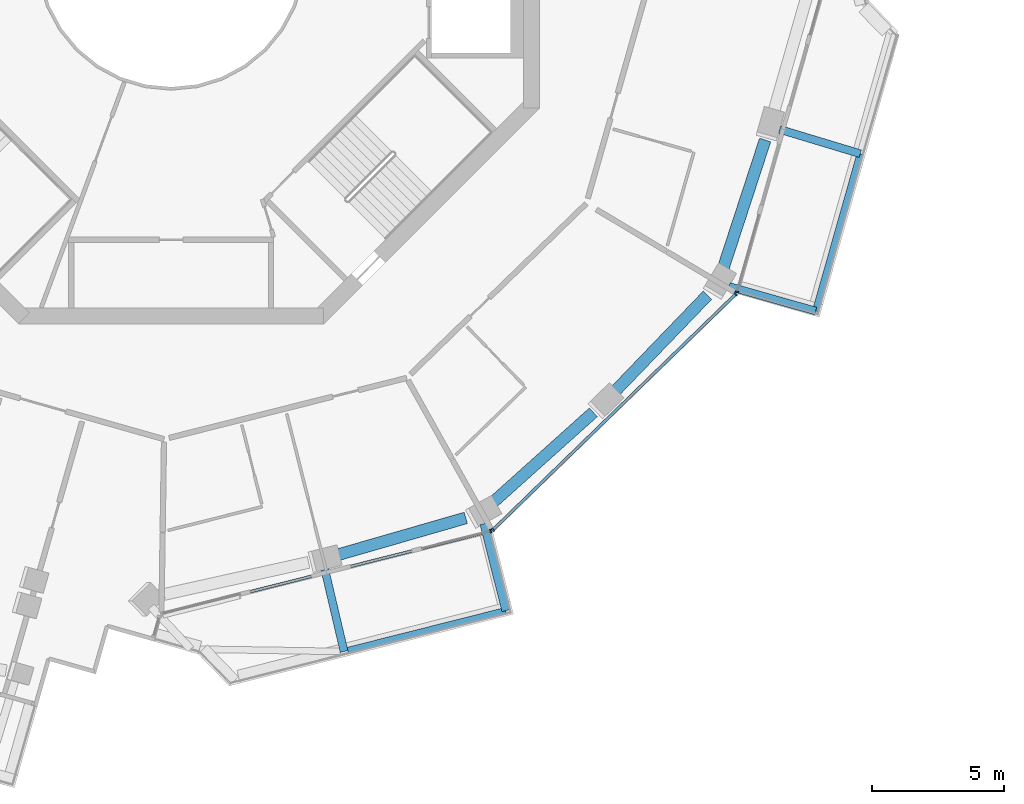
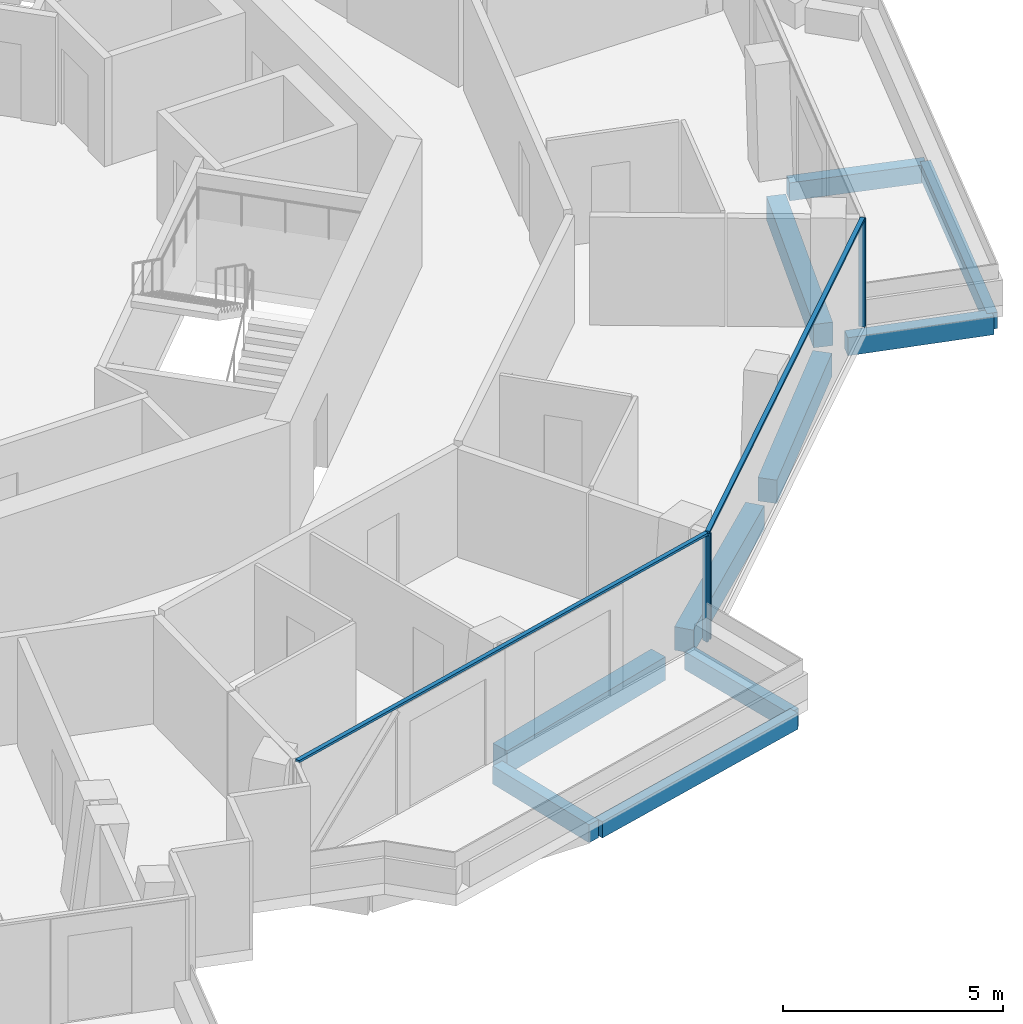
# One storey, part 5 of 24: 10 beams, 6 members, 3 elements without a shape of their own.
"""IFC4 building model written with IfcOpenShell, lengths in metres."""

from ifc_helpers import new_model, si_unit, direction, frame, origin, origin_2d, place, context, subcontext, project, spatial, rectangle, extrude, material, layer, layer_set, material_profile, profile_set, type_object, element, aggregate, save


model = new_model("IFC4")

# Units and contexts
model_context = context("Model", 3, precision=1e-05, world=origin(), true_north=direction((0.0, 1.0)))
body_context = subcontext(model_context, "Body", "Model", "MODEL_VIEW")
ifc_project = project(units=[si_unit("LENGTHUNIT", "METRE"), si_unit("AREAUNIT", "SQUARE_METRE"), si_unit("VOLUMEUNIT", "CUBIC_METRE"), si_unit("PLANEANGLEUNIT", "RADIAN"), si_unit("MASSUNIT", "GRAM", prefix="KILO")], contexts=[model_context])

# Site, building, storey
site_placement = place(None, origin())
site = spatial("IfcSite", under=ifc_project, at=site_placement, CompositionType="ELEMENT")
building_placement = place(site_placement, origin())
building = spatial("IfcBuilding", under=site, at=building_placement, Name="Verdalira Terraces Hotel", CompositionType="ELEMENT")
storey_placement = place(building_placement, frame((0.0, 0.0, 212.5)))
storey = spatial("IfcBuildingStorey", under=building, at=storey_placement, Name="L52", CompositionType="ELEMENT", Elevation=212.5)

# Beams
ifc_material_1 = material(Name="Concrete C40", Category="concrete")
ifc_material_profile_1 = material_profile(ifc_material_1, rectangle(XDim=0.300049, YDim=0.5, at=origin_2d()), Name="RC 300X500")
ifc_profile_set_1 = profile_set([ifc_material_profile_1], Name="Concrete C40")
beam_type_1 = type_object("IfcBeamType", Name="Balcony cantilever beam RC 300X500 C40", PredefinedType="BEAM", material=ifc_profile_set_1)
beam_1_placement = place(storey_placement, frame((5.844727, -23.337158, -0.560059), z_axis=(0.228350601, -0.973578966, 0.0), x_axis=(0.973578966, 0.228350601, 0.0)))
element("IfcBeam", 1, at=beam_1_placement, inside=storey, type_object=beam_type_1, Name="Balcony cantilever beam R24-2", PredefinedType="BEAM", context=body_context, shape_type="SweptSolid", body=[
    extrude(rectangle(XDim=0.300049, YDim=0.5, at=origin_2d()), origin(), (0.0, 0.0, 1.0), 3.200928),
])
beam_2_placement = place(storey_placement, frame((11.887451, -21.5979, -0.560059), z_axis=(0.244591069, -0.969626324, 0.0), x_axis=(0.969626324, 0.244591069, 0.0)))
element("IfcBeam", 2, at=beam_2_placement, inside=storey, type_object=beam_type_1, Name="Balcony cantilever beam R24-3", PredefinedType="BEAM", context=body_context, shape_type="SweptSolid", body=[
    extrude(rectangle(XDim=0.300049, YDim=0.5, at=origin_2d()), origin(), (0.0, 0.0, 1.0), 3.408691),
])
beam_3_placement = place(storey_placement, frame((21.206787, -12.578369, -0.560059), z_axis=(0.962036269, -0.272921631, 0.0), x_axis=(0.272921631, 0.962036269, 0.0)))
element("IfcBeam", 3, at=beam_3_placement, inside=storey, type_object=beam_type_1, Name="Balcony cantilever beam R27-1", PredefinedType="BEAM", context=body_context, shape_type="SweptSolid", body=[
    extrude(rectangle(XDim=0.300049, YDim=0.5, at=origin_2d()), origin(), (0.0, 0.0, 1.0), 3.42334),
])
beam_4_placement = place(storey_placement, frame((23.133057, -6.606934, -0.560059), z_axis=(0.957327313, -0.289005911, 0.0), x_axis=(0.289005911, 0.957327313, 0.0)))
element("IfcBeam", 4, at=beam_4_placement, inside=storey, type_object=beam_type_1, Name="Balcony cantilever beam R27-2", PredefinedType="BEAM", context=body_context, shape_type="SweptSolid", body=[
    extrude(rectangle(XDim=0.300049, YDim=0.5, at=origin_2d()), origin(), (0.0, 0.0, 1.0), 3.200684),
])
ifc_material_2 = material(Name="Concrete C40", Category="concrete")
ifc_material_profile_2 = material_profile(ifc_material_2, rectangle(XDim=0.25, YDim=0.449951, at=origin_2d()), Name="RC 250X450")
ifc_profile_set_2 = profile_set([ifc_material_profile_2], Name="Concrete C40")
beam_type_2 = type_object("IfcBeamType", Name="Balcony edge beam RC 250X450 C40", PredefinedType="BEAM", material=ifc_profile_set_2)
beam_5_placement = place(storey_placement, frame((6.721191, -26.416748, -0.534912), z_axis=(0.969620408, 0.244614523, 0.0), x_axis=(-0.244614523, 0.969620408, 0.0)))
element("IfcBeam", 5, at=beam_5_placement, inside=storey, type_object=beam_type_2, Name="Balcony edge beam R24-2", PredefinedType="BEAM", context=body_context, shape_type="SweptSolid", body=[
    extrude(rectangle(XDim=0.25, YDim=0.449951, at=origin_2d()), origin(), (0.0, 0.0, 1.0), 6.187988),
])
beam_6_placement = place(storey_placement, frame((24.500244, -13.512695, -0.534912), z_axis=(0.272972744, 0.962021767, 0.0), x_axis=(-0.962021767, 0.272972744, 0.0)))
element("IfcBeam", 6, at=beam_6_placement, inside=storey, type_object=beam_type_2, Name="Balcony edge beam R27-1", PredefinedType="BEAM", context=body_context, shape_type="SweptSolid", body=[
    extrude(rectangle(XDim=0.25, YDim=0.449951, at=origin_2d()), origin(), (0.0, 0.0, 1.0), 6.216797),
])

# Curtain wall, member
ifc_material_3 = material(Name="Clear glass", Category="glass")
ifc_layer = layer(ifc_material_3, 0.14990234375)
ifc_layer_set = layer_set([ifc_layer], Name="CW1 curtain wall")
curtain_wall_type = type_object("IfcCurtainWallType", Name="CW1 curtain wall", PredefinedType="NOTDEFINED", material=ifc_layer_set)
curtain_wall_1_placement = place(storey_placement, origin())
curtain_wall_1 = element("IfcCurtainWall", 7, at=curtain_wall_1_placement, inside=storey, type_object=curtain_wall_type, Name="CW1 curtain wall L52 edge 25", PredefinedType="NOTDEFINED")
ifc_material_4 = material(Name="Terracotta frame", Category="masonry")
ifc_material_profile_3 = material_profile(ifc_material_4, rectangle(XDim=0.060059, YDim=0.149902, at=origin_2d()), Name="MU 60x150")
ifc_profile_set_3 = profile_set([ifc_material_profile_3], Name="Terracotta frame")
member_type_1 = type_object("IfcMemberType", Name="CW1 mullion 60x150", PredefinedType="MULLION", material=ifc_profile_set_3)
member_1_placement = place(storey_placement, frame((12.150391, -21.875732, 0.0), z_axis=(0.0, 0.0, 1.0), x_axis=(0.96961637, 0.244630526, 0.0)))
member_1 = element("IfcMember", 8, at=member_1_placement, type_object=member_type_1, Name="CW1 mullion", PredefinedType="MULLION", context=body_context, shape_type="SweptSolid", body=[
    extrude(rectangle(XDim=0.060059, YDim=0.149902, at=origin_2d()), origin(), (0.0, 0.0, 1.0), 2.935059),
])

# Curtain wall, members
curtain_wall_2_placement = place(storey_placement, origin())
curtain_wall_2 = element("IfcCurtainWall", 9, at=curtain_wall_2_placement, inside=storey, type_object=curtain_wall_type, Name="CW1 curtain wall L52 edge 26", PredefinedType="NOTDEFINED")
member_2_placement = place(storey_placement, frame((12.234863, -21.828369, 0.0), z_axis=(0.0, 0.0, 1.0), x_axis=(0.717397146, 0.696664435, 0.0)))
member_2 = element("IfcMember", 10, at=member_2_placement, type_object=member_type_1, Name="CW1 mullion", PredefinedType="MULLION", context=body_context, shape_type="SweptSolid", body=[
    extrude(rectangle(XDim=0.060059, YDim=0.149902, at=origin_2d()), origin(), (0.0, 0.0, 1.0), 2.935059),
])
member_3_placement = place(storey_placement, frame((21.460449, -12.869629, 0.0), z_axis=(0.0, 0.0, 1.0), x_axis=(0.717397146, 0.696664435, 0.0)))
member_3 = element("IfcMember", 11, at=member_3_placement, type_object=member_type_1, Name="CW1 mullion", PredefinedType="MULLION", context=body_context, shape_type="SweptSolid", body=[
    extrude(rectangle(XDim=0.060059, YDim=0.149902, at=origin_2d()), origin(), (0.0, 0.0, 1.0), 2.935059),
])

# Curtain wall, member
curtain_wall_3_placement = place(storey_placement, origin())
curtain_wall_3 = element("IfcCurtainWall", 12, at=curtain_wall_3_placement, inside=storey, type_object=curtain_wall_type, Name="CW1 curtain wall L52 edge 27", PredefinedType="NOTDEFINED")
member_4_placement = place(storey_placement, frame((21.51001, -12.786621, 0.0), z_axis=(0.0, 0.0, 1.0), x_axis=(0.272951936, 0.962027672, 0.0)))
member_4 = element("IfcMember", 13, at=member_4_placement, type_object=member_type_1, Name="CW1 mullion", PredefinedType="MULLION", context=body_context, shape_type="SweptSolid", body=[
    extrude(rectangle(XDim=0.060059, YDim=0.149902, at=origin_2d()), origin(), (0.0, 0.0, 1.0), 2.935059),
])
aggregate(curtain_wall_3, [member_4])

# Member
ifc_material_5 = material(Name="Terracotta frame", Category="masonry")
ifc_material_profile_4 = material_profile(ifc_material_5, rectangle(XDim=0.110107, YDim=0.064941, at=origin_2d()), Name="TR 65x110")
ifc_profile_set_4 = profile_set([ifc_material_profile_4], Name="Terracotta frame")
member_type_2 = type_object("IfcMemberType", Name="CW1 transom 65x110", PredefinedType="USERDEFINED", material=ifc_profile_set_4)
member_5_placement = place(storey_placement, frame((-0.386475, -25.038574, 2.967529), z_axis=(0.969619433, 0.244618386, 0.0), x_axis=(-0.244618386, 0.969619433, 0.0)))
member_5 = element("IfcMember", 14, at=member_5_placement, type_object=member_type_2, Name="CW1 transom", ObjectType="TRANSOM", PredefinedType="USERDEFINED", context=body_context, shape_type="SweptSolid", body=[
    extrude(rectangle(XDim=0.110107, YDim=0.064941, at=origin_2d()), origin(), (0.0, 0.0, 1.0), 12.959717),
])

aggregate(curtain_wall_1, [member_1, member_5])

member_6_placement = place(storey_placement, frame((12.213379, -21.849365, 2.967529), z_axis=(0.717395672, 0.696665953, 0.0), x_axis=(-0.696665953, 0.717395672, 0.0)))
member_6 = element("IfcMember", 15, at=member_6_placement, type_object=member_type_2, Name="CW1 transom", ObjectType="TRANSOM", PredefinedType="USERDEFINED", context=body_context, shape_type="SweptSolid", body=[
    extrude(rectangle(XDim=0.110107, YDim=0.064941, at=origin_2d()), origin(), (0.0, 0.0, 1.0), 12.919678),
])

aggregate(curtain_wall_2, [member_2, member_3, member_6])

# Beams
ifc_material_6 = material(Name="Concrete C50", Category="concrete")
ifc_material_profile_5 = material_profile(ifc_material_6, rectangle(XDim=0.449951, YDim=0.649902, at=origin_2d()), Name="RC 450X650")
ifc_profile_set_5 = profile_set([ifc_material_profile_5], Name="Concrete C50")
beam_type_3 = type_object("IfcBeamType", Name="Spandrel beam RC 450X650 C50", PredefinedType="SPANDREL", material=ifc_profile_set_5)
beam_7_placement = place(storey_placement, frame((6.216797, -22.8125, -0.63501), z_axis=(0.96086791, 0.277006965, 0.0), x_axis=(-0.277006965, 0.96086791, 0.0)))
element("IfcBeam", 16, at=beam_7_placement, inside=storey, type_object=beam_type_3, Name="Spandrel beam B12", PredefinedType="SPANDREL", context=body_context, shape_type="SweptSolid", body=[
    extrude(rectangle(XDim=0.449951, YDim=0.649902, at=origin_2d()), origin(), (0.0, 0.0, 1.0), 5.189453),
])
beam_8_placement = place(storey_placement, frame((12.185547, -20.828613, -0.63501), z_axis=(0.744478368, 0.667646583, 0.0), x_axis=(-0.667646583, 0.744478368, 0.0)))
element("IfcBeam", 17, at=beam_8_placement, inside=storey, type_object=beam_type_3, Name="Spandrel beam B13", PredefinedType="SPANDREL", context=body_context, shape_type="SweptSolid", body=[
    extrude(rectangle(XDim=0.449951, YDim=0.649902, at=origin_2d()), origin(), (0.0, 0.0, 1.0), 5.192139),
])
beam_9_placement = place(storey_placement, frame((16.790283, -16.647949, -0.63501), z_axis=(0.693595577, 0.720364612, 0.0), x_axis=(-0.720364612, 0.693595577, 0.0)))
element("IfcBeam", 18, at=beam_9_placement, inside=storey, type_object=beam_type_3, Name="Spandrel beam B14", PredefinedType="SPANDREL", context=body_context, shape_type="SweptSolid", body=[
    extrude(rectangle(XDim=0.449951, YDim=0.649902, at=origin_2d()), origin(), (0.0, 0.0, 1.0), 5.189453),
])
beam_10_placement = place(storey_placement, frame((20.967285, -11.945312, -0.63501), z_axis=(0.310904691, 0.950441094, 0.0), x_axis=(-0.950441094, 0.310904691, 0.0)))
element("IfcBeam", 19, at=beam_10_placement, inside=storey, type_object=beam_type_3, Name="Spandrel beam B15", PredefinedType="SPANDREL", context=body_context, shape_type="SweptSolid", body=[
    extrude(rectangle(XDim=0.449951, YDim=0.649902, at=origin_2d()), origin(), (0.0, 0.0, 1.0), 5.192139),
])

save(model, "model.ifc")
